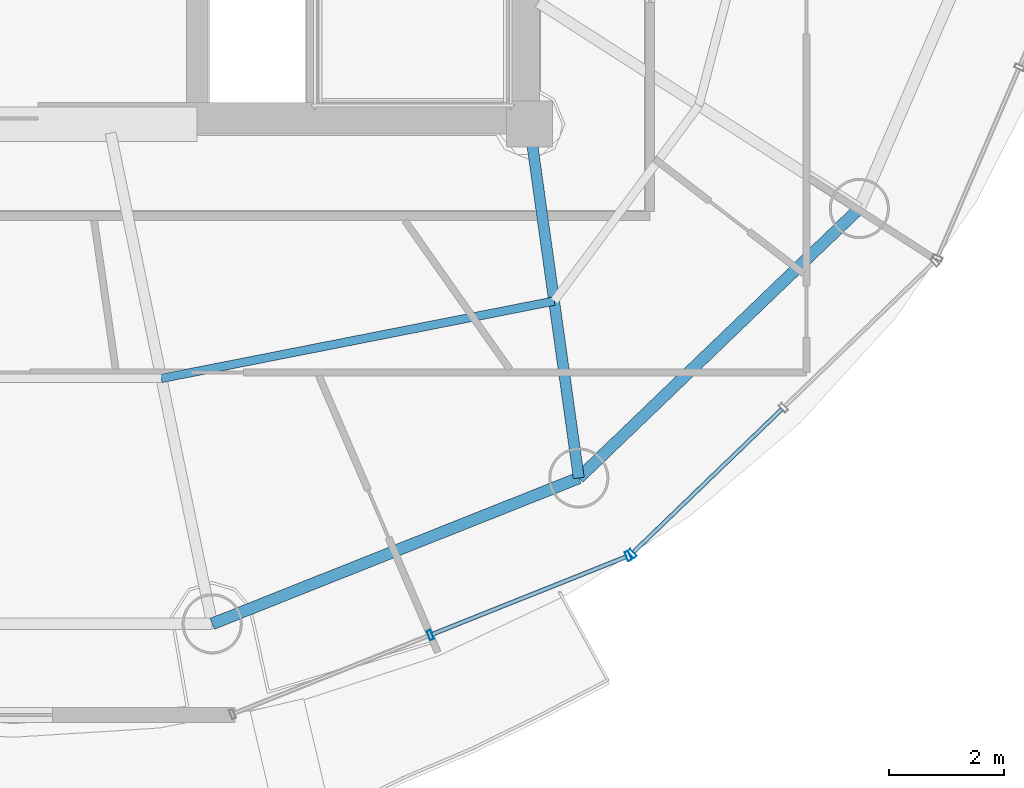
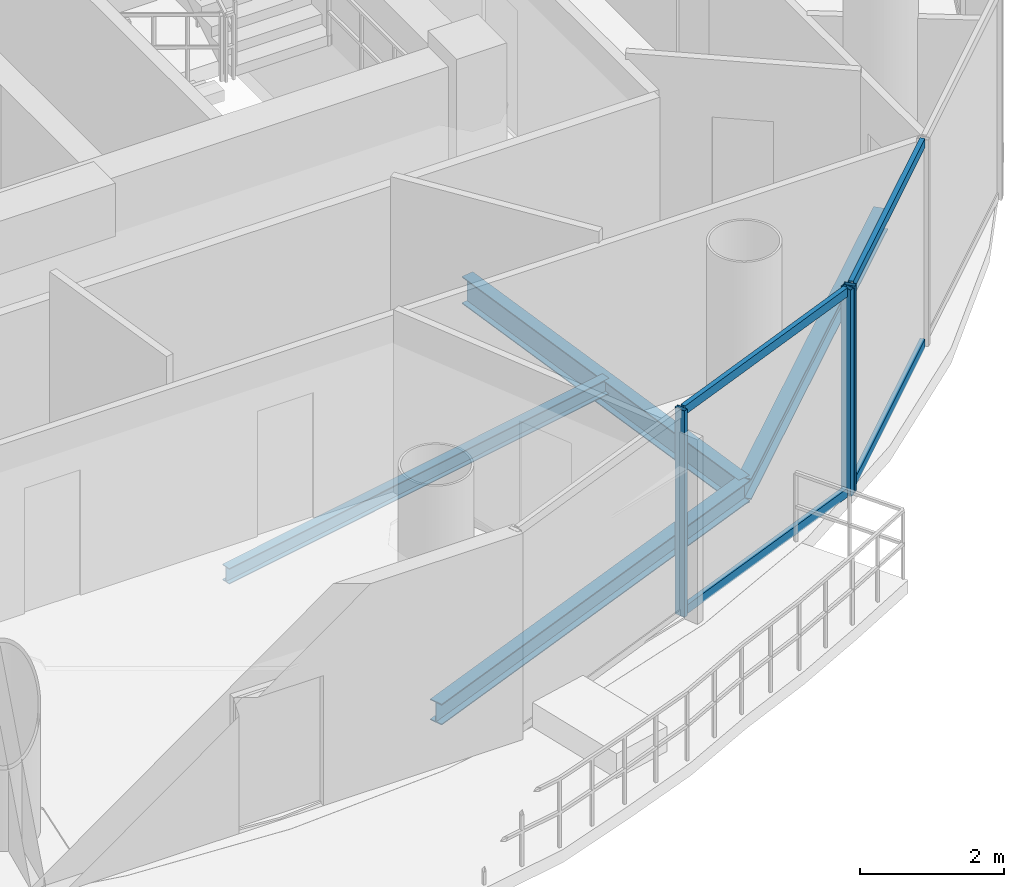
# One storey, part 6 of 23: 7 members, 4 beams, 2 elements without a shape of their own.
"""IFC4 building model written with IfcOpenShell, lengths in metres."""

from ifc_helpers import new_model, si_unit, direction, frame, origin, origin_2d, place, context, subcontext, project, spatial, hollow_rectangle, i_section, extrude, source, transform, mapped, material, material_profile, profile_set, type_object, element, aggregate, save


model = new_model("IFC4")

# Units and contexts
model_context = context("Model", 3, precision=1e-05, world=origin(), true_north=direction((-0.2419218956, 0.970295726276)))
body_context = subcontext(model_context, "Body", "Model", "MODEL_VIEW")
ifc_project = project(units=[si_unit("LENGTHUNIT", "METRE"), si_unit("AREAUNIT", "SQUARE_METRE"), si_unit("VOLUMEUNIT", "CUBIC_METRE"), si_unit("PLANEANGLEUNIT", "RADIAN"), si_unit("MASSUNIT", "GRAM", prefix="KILO")], contexts=[model_context])

# Site, building, storey
site_placement = place(None, origin())
site = spatial("IfcSite", under=ifc_project, at=site_placement, CompositionType="ELEMENT")
building_placement = place(site_placement, origin())
building = spatial("IfcBuilding", under=site, at=building_placement, Name="Cobrevalo Terracotta Tower", CompositionType="ELEMENT")
storey_placement = place(building_placement, frame((0.0, 0.0, 263.199951171875)))
storey = spatial("IfcBuildingStorey", under=building, at=storey_placement, Name="L69", CompositionType="ELEMENT", Elevation=263.199951171875)

# Beams
ifc_material_1 = material(Name="Steel S355", Category="steel")
ifc_material_profile_1 = material_profile(ifc_material_1, i_section(OverallWidth=0.19091796875, OverallDepth=0.4599609375, WebThickness=0.010009765625, FlangeThickness=0.01611328125, at=origin_2d()), Name="W 460x82")
ifc_profile_set_1 = profile_set([ifc_material_profile_1], Name="Steel S355")
beam_type_1 = type_object("IfcBeamType", Name="Structural Beam W 460x82 (Steel S355)", PredefinedType="BEAM", material=ifc_profile_set_1)
beam_1_placement = place(storey_placement, frame((47.861328125, 12.62353515625, -0.489990234375), z_axis=(-0.138115657759, 0.990416107039, 0.0), x_axis=(-0.990416107039, -0.138115657759, 0.0)))
element("IfcBeam", 1, at=beam_1_placement, inside=storey, type_object=beam_type_1, Name="L69 radial floor girder 14", PredefinedType="BEAM", context=body_context, shape_type="SweptSolid", body=[
    extrude(i_section(OverallWidth=0.19091796875, OverallDepth=0.4599609375, WebThickness=0.010009765625, FlangeThickness=0.01611328125, at=origin_2d()), origin(), (0.0, 0.0, 1.0), 6.236328125),
])
ifc_material_profile_2 = material_profile(ifc_material_1, i_section(OverallWidth=0.14794921875, OverallDepth=0.26611328125, WebThickness=0.007568359375, FlangeThickness=0.012939453125, at=origin_2d()), Name="W 250x44.8")
ifc_profile_set_2 = profile_set([ifc_material_profile_2], Name="Steel S355")
beam_type_2 = type_object("IfcBeamType", Name="Structural Joist W 250x44.8 (Steel S355)", PredefinedType="JOIST", material=ifc_profile_set_2)
beam_2_placement = place(storey_placement, frame((40.57568359375, 14.361328125, -0.39306640625), z_axis=(0.981145060421, 0.193272787563, 0.0), x_axis=(-0.193272787563, 0.981145060421, 0.0)))
element("IfcBeam", 2, at=beam_2_placement, inside=storey, type_object=beam_type_2, Name="L69 circumferential secondary floor joist 13", PredefinedType="JOIST", context=body_context, shape_type="SweptSolid", body=[
    extrude(i_section(OverallWidth=0.14794921875, OverallDepth=0.26611328125, WebThickness=0.007568359375, FlangeThickness=0.012939453125, at=origin_2d()), origin(), (0.0, 0.0, 1.0), 6.98681640625),
])
ifc_material_profile_3 = material_profile(ifc_material_1, i_section(OverallWidth=0.205078125, OverallDepth=0.35400390625, WebThickness=0.009521484375, FlangeThickness=0.016845703125, at=origin_2d()), Name="W 360x79")
ifc_profile_set_3 = profile_set([ifc_material_profile_3], Name="Steel S355")
beam_type_3 = type_object("IfcBeamType", Name="Structural Spandrel W 360x79 (Steel S355)", PredefinedType="SPANDREL", material=ifc_profile_set_3)
beam_3_placement = place(storey_placement, frame((41.462890625, 10.07763671875, -0.43701171875), z_axis=(0.929149986048, 0.369702993533, 0.0), x_axis=(-0.369702993533, 0.929149986048, 0.0)))
element("IfcBeam", 3, at=beam_3_placement, inside=storey, type_object=beam_type_3, Name="L69 perimeter ring spandrel 13", PredefinedType="SPANDREL", context=body_context, shape_type="SweptSolid", body=[
    extrude(i_section(OverallWidth=0.205078125, OverallDepth=0.35400390625, WebThickness=0.009521484375, FlangeThickness=0.016845703125, at=origin_2d()), origin(), (0.0, 0.0, 1.0), 6.88623046875),
])
beam_4_placement = place(storey_placement, frame((47.861328125, 12.62353515625, -0.43701171875), z_axis=(0.721183246144, 0.692744343522, 0.0), x_axis=(-0.692744343522, 0.721183246144, 0.0)))
element("IfcBeam", 4, at=beam_4_placement, inside=storey, type_object=beam_type_3, Name="L69 perimeter ring spandrel 14", PredefinedType="SPANDREL", context=body_context, shape_type="SweptSolid", body=[
    extrude(i_section(OverallWidth=0.205078125, OverallDepth=0.35400390625, WebThickness=0.009521484375, FlangeThickness=0.016845703125, at=origin_2d()), origin(), (0.0, 0.0, 1.0), 6.79052734375),
])

# Curtain wall, members
ifc_material_2 = material(Name="Anodized aluminium", Category="aluminium")
curtain_wall_type = type_object("IfcCurtainWallType", Name="Upper-tower triple-glazed penthouse curtain wall CW-U3", PredefinedType="NOTDEFINED", material=ifc_material_2)
curtain_wall_1_placement = place(storey_placement, origin())
curtain_wall_1 = element("IfcCurtainWall", 5, at=curtain_wall_1_placement, inside=storey, type_object=curtain_wall_type, Name="L69 curtain wall CW-L69-S13", PredefinedType="NOTDEFINED")
ifc_material_profile_4 = material_profile(ifc_material_2, hollow_rectangle(XDim=0.070068359375, YDim=0.169921875, WallThickness=0.00439453125, at=origin_2d()), Name="CWM 70x170")
ifc_profile_set_4 = profile_set([ifc_material_profile_4], Name="Anodized aluminium")
member_type_1 = type_object("IfcMemberType", Name="Upper tower unitised mullion 70x170", PredefinedType="MULLION", material=ifc_profile_set_4)
shared_shape_1 = source(origin(), body_context, "Body", "SweptSolid", [
    extrude(hollow_rectangle(XDim=0.070068359375, YDim=0.169921875, WallThickness=0.00439453125, at=origin_2d()), origin(), (0.0, 0.0, 1.0), 3.489990234375),
])
member_1_placement = place(storey_placement, frame((45.270263671875, 9.882568359375, 0.0), z_axis=(0.0, 0.0, 1.0), x_axis=(0.928718980883, 0.370784377433, 0.0)))
member_1 = element("IfcMember", 6, at=member_1_placement, type_object=member_type_1, Name="CW-L69-S13 vertical mullion 02", PredefinedType="MULLION", context=body_context, shape_type="MappedRepresentation", body=[
    mapped(shared_shape_1, transform((0.0, 0.0, 0.0), scale=1.0)),
])
member_2_placement = place(storey_placement, frame((48.724365234375, 11.26171875, 0.0), z_axis=(0.0, 0.0, 1.0), x_axis=(0.928718980883, 0.370784377433, 0.0)))
member_2 = element("IfcMember", 7, at=member_2_placement, type_object=member_type_1, Name="CW-L69-S13 vertical mullion 03", PredefinedType="MULLION", context=body_context, shape_type="MappedRepresentation", body=[
    mapped(shared_shape_1, transform((0.0, 0.0, 0.0), scale=1.0)),
])

curtain_wall_2_placement = place(storey_placement, origin())
curtain_wall_2 = element("IfcCurtainWall", 8, at=curtain_wall_2_placement, inside=storey, type_object=curtain_wall_type, Name="L69 curtain wall CW-L69-S14", PredefinedType="NOTDEFINED")
member_3_placement = place(storey_placement, frame((48.790283203125, 11.30419921875, 0.0), z_axis=(0.0, 0.0, 1.0), x_axis=(0.71999418085, 0.69398010025, 0.0)))
member_3 = element("IfcMember", 9, at=member_3_placement, type_object=member_type_1, Name="CW-L69-S14 vertical mullion 01", PredefinedType="MULLION", context=body_context, shape_type="MappedRepresentation", body=[
    mapped(shared_shape_1, transform((0.0, 0.0, 0.0), scale=1.0)),
])
ifc_material_profile_5 = material_profile(ifc_material_2, hollow_rectangle(XDim=0.074951171875, YDim=0.14990234375, WallThickness=0.00439453125, at=origin_2d()), Name="CWT 75x150")
ifc_profile_set_5 = profile_set([ifc_material_profile_5], Name="Anodized aluminium")
member_type_2 = type_object("IfcMemberType", Name="Tower unitised aluminium transom 75x150", PredefinedType="USERDEFINED", material=ifc_profile_set_5)
shared_shape_2 = source(origin(), body_context, "Body", "SweptSolid", [
    extrude(hollow_rectangle(XDim=0.074951171875, YDim=0.14990234375, WallThickness=0.00439453125, at=origin_2d()), origin(), (0.0, 0.0, 1.0), 3.59130859375),
])
member_4_placement = place(storey_placement, frame((48.819091796875, 11.33203125, 0.050048828125), z_axis=(0.720005628362, 0.693968223427, 0.0), x_axis=(-0.693968223427, 0.720005628362, 0.0)))
member_4 = element("IfcMember", 10, at=member_4_placement, type_object=member_type_2, Name="CW-L69-S14 transom B01-T1", ObjectType="TRANSOM", PredefinedType="USERDEFINED", context=body_context, shape_type="MappedRepresentation", body=[
    mapped(shared_shape_2, transform((0.0, 0.0, 0.0), scale=1.0)),
])
member_5_placement = place(storey_placement, frame((48.819091796875, 11.33203125, 3.43994140625), z_axis=(0.720005628362, 0.693968223427, 0.0), x_axis=(-0.693968223427, 0.720005628362, 0.0)))
member_5 = element("IfcMember", 11, at=member_5_placement, type_object=member_type_2, Name="CW-L69-S14 transom B01-T2", ObjectType="TRANSOM", PredefinedType="USERDEFINED", context=body_context, shape_type="MappedRepresentation", body=[
    mapped(shared_shape_2, transform((0.0, 0.0, 0.0), scale=1.0)),
])
aggregate(curtain_wall_2, [member_3, member_4, member_5])

# Member
shared_shape_3 = source(origin(), body_context, "Body", "SweptSolid", [
    extrude(hollow_rectangle(XDim=0.074951171875, YDim=0.14990234375, WallThickness=0.00439453125, at=origin_2d()), origin(), (0.0, 0.0, 1.0), 3.63916015625),
])
member_6_placement = place(storey_placement, frame((45.307373046875, 9.8974609375, 0.050048828125), z_axis=(0.928712471544, 0.370800681227, 0.0), x_axis=(-0.370800681227, 0.928712471544, 0.0)))
member_6 = element("IfcMember", 12, at=member_6_placement, type_object=member_type_2, Name="CW-L69-S13 transom B02-T1", ObjectType="TRANSOM", PredefinedType="USERDEFINED", context=body_context, shape_type="MappedRepresentation", body=[
    mapped(shared_shape_3, transform((0.0, 0.0, 0.0), scale=1.0)),
])

member_7_placement = place(storey_placement, frame((45.307373046875, 9.8974609375, 3.43994140625), z_axis=(0.928712471544, 0.370800681227, 0.0), x_axis=(-0.370800681227, 0.928712471544, 0.0)))
member_7 = element("IfcMember", 13, at=member_7_placement, type_object=member_type_2, Name="CW-L69-S13 transom B02-T2", ObjectType="TRANSOM", PredefinedType="USERDEFINED", context=body_context, shape_type="MappedRepresentation", body=[
    mapped(shared_shape_3, transform((0.0, 0.0, 0.0), scale=1.0)),
])

aggregate(curtain_wall_1, [member_1, member_2, member_6, member_7])

save(model, "model.ifc")
